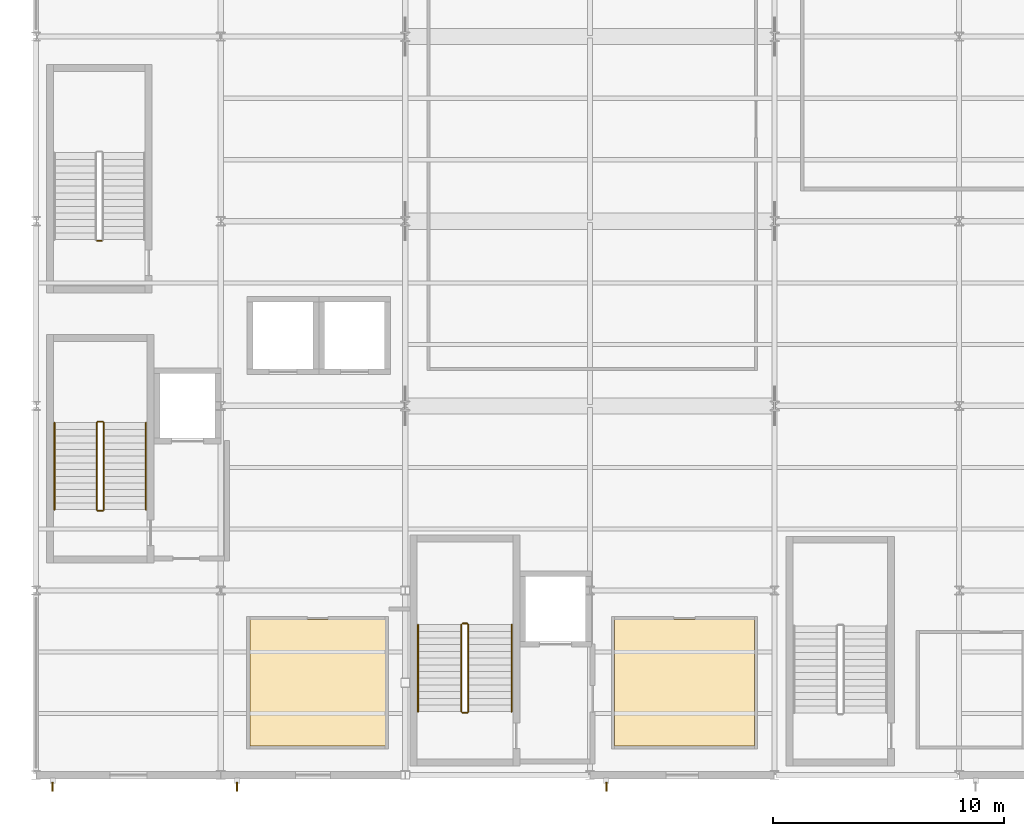
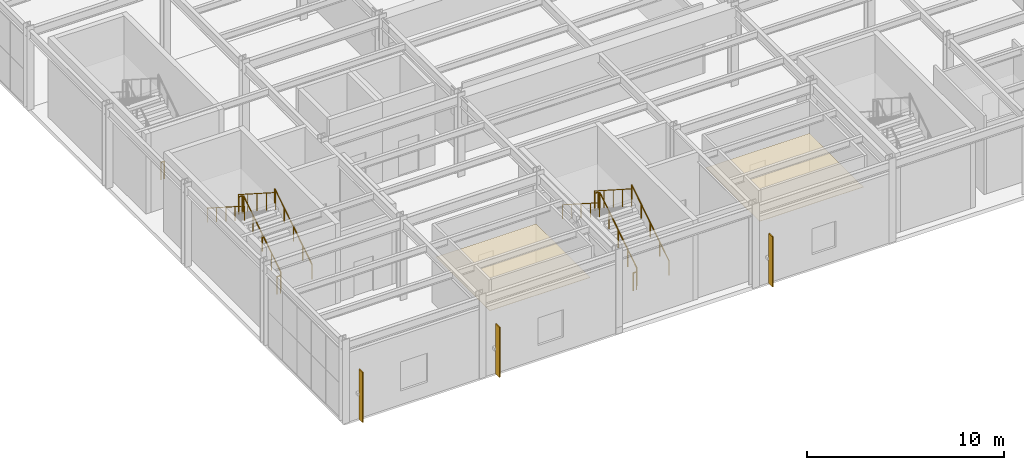
# One storey, part 67 of 77: 13 railings, 3 shading devices, 2 coverings.
"""IFC4 building model written with IfcOpenShell, lengths in metres."""

from ifc_helpers import new_model, si_unit, direction, frame, origin, origin_2d, place, context, subcontext, project, spatial, polyline, rectangle, circle, outline, extrude, material, layer, layer_set, type_object, element, save


model = new_model("IFC4")

# Units and contexts
model_context = context("Model", 3, precision=1e-05, world=origin(), true_north=direction((0.0, 1.0)))
body_context = subcontext(model_context, "Body", "Model", "MODEL_VIEW")
ifc_project = project(units=[si_unit("LENGTHUNIT", "METRE"), si_unit("AREAUNIT", "SQUARE_METRE"), si_unit("VOLUMEUNIT", "CUBIC_METRE"), si_unit("PLANEANGLEUNIT", "RADIAN"), si_unit("MASSUNIT", "GRAM", prefix="KILO")], contexts=[model_context])

# Site, building, storey
site_placement = place(None, origin())
site = spatial("IfcSite", under=ifc_project, at=site_placement, CompositionType="ELEMENT")
building_placement = place(site_placement, origin())
building = spatial("IfcBuilding", under=site, at=building_placement, Name="Drelvath Fold Interchange", CompositionType="ELEMENT")
storey_placement = place(building_placement, frame((0.0, 0.0, 6.0)))
storey = spatial("IfcBuildingStorey", under=building, at=storey_placement, Name="L01", CompositionType="ELEMENT", Elevation=6.0)

# Coverings
ifc_material_1 = material(Name="Perforated Aluminium Acoustic Ceiling", Category="aluminium")
ifc_layer = layer(ifc_material_1, 0.01806640625, Name="Perforated Aluminium Acoustic Ceiling")
ifc_layer_set = layer_set([ifc_layer], Name="Perforated Aluminium Acoustic Ceiling")
covering_type = type_object("IfcCoveringType", Name="CV-CEIL-AL18", PredefinedType="CEILING", material=ifc_layer_set)
covering_1_placement = place(storey_placement, frame((0.0, 0.0, 2.830078125)))
element("IfcCovering", 1, at=covering_1_placement, inside=storey, type_object=covering_type, Name="Gallery Public Toilet Men acoustic ceiling", PredefinedType="CEILING", context=body_context, shape_type="SweptSolid", body=[
    extrude(outline(polyline([(13.261962890625, 4.262939453125), (19.136962890625, 4.262939453125), (19.136962890625, 9.738037109375), (13.261962890625, 9.738037109375), (13.261962890625, 4.262939453125)])), origin(), (0.0, 0.0, 1.0), 0.02001953125),
])
covering_2_placement = place(storey_placement, frame((0.0, 0.0, 2.830078125)))
element("IfcCovering", 2, at=covering_2_placement, inside=storey, type_object=covering_type, Name="Gallery Public Toilet Women acoustic ceiling", PredefinedType="CEILING", context=body_context, shape_type="SweptSolid", body=[
    extrude(outline(polyline([(29.06201171875, 4.262939453125), (35.137939453125, 4.262939453125), (35.137939453125, 9.738037109375), (29.06201171875, 9.738037109375), (29.06201171875, 4.262939453125)])), origin(), (0.0, 0.0, 1.0), 0.02001953125),
])

# Railings
ifc_material_2 = material(Name="Stainless Steel 316L", Category="steel")
railing_type_1 = type_object("IfcRailingType", Name="RL-GRD1100", PredefinedType="GUARDRAIL", material=ifc_material_2)
railing_1_placement = place(storey_placement, frame((6.929931640625, 14.5, 0.185791015625)))
element("IfcRailing", 3, at=railing_1_placement, inside=storey, type_object=railing_type_1, Name="L01 ST-01 stair guard 1", PredefinedType="GUARDRAIL", context=body_context, shape_type="SweptSolid", body=[
    extrude(circle(Radius=0.02392578125, at=origin_2d()), frame((0.0, 0.0, 1.076171875), z_axis=(0.0, 0.84211983486, 0.539290444692), x_axis=(-1.0, 0.0, 0.0)), (0.0, 0.0, 1.0), 4.476806640625),
    extrude(circle(Radius=0.02099609375, at=origin_2d()), origin(), (0.0, 0.0, 1.0), 1.052001953125),
    extrude(circle(Radius=0.02099609375, at=origin_2d()), frame((0.0, 0.9423828125, 0.603515625)), (0.0, 0.0, 1.0), 1.052001953125),
    extrude(circle(Radius=0.02099609375, at=origin_2d()), frame((0.0, 1.885009765625, 1.20703125)), (0.0, 0.0, 1.0), 1.052001953125),
    extrude(circle(Radius=0.02099609375, at=origin_2d()), frame((0.0, 2.82763671875, 1.810791015625)), (0.0, 0.0, 1.0), 1.052001953125),
    extrude(circle(Radius=0.02099609375, at=origin_2d()), frame((0.0, 3.77001953125, 2.414306640625)), (0.0, 0.0, 1.0), 1.052001953125),
])
railing_2_placement = place(storey_placement, frame((6.8798828125, 18.320068359375, 2.60009765625)))
element("IfcRailing", 4, at=railing_2_placement, inside=storey, type_object=railing_type_1, Name="L01 ST-01 stair guard 2", PredefinedType="GUARDRAIL", context=body_context, shape_type="SweptSolid", body=[
    extrude(circle(Radius=0.02392578125, at=origin_2d()), frame((0.0, 0.0, 1.076171875), z_axis=(-1.0, 0.0, 0.0), x_axis=(0.0, -1.0, 0.0)), (0.0, 0.0, 1.0), 0.199951171875),
    extrude(circle(Radius=0.02099609375, at=origin_2d()), origin(), (0.0, 0.0, 1.0), 1.052001953125),
    extrude(circle(Radius=0.02099609375, at=origin_2d()), frame((-0.199951171875, 0.0, 0.0)), (0.0, 0.0, 1.0), 1.052001953125),
])
railing_3_placement = place(storey_placement, frame((6.6298828125, 18.27001953125, 2.78564453125)))
element("IfcRailing", 5, at=railing_3_placement, inside=storey, type_object=railing_type_1, Name="L01 ST-01 stair guard 3", PredefinedType="GUARDRAIL", context=body_context, shape_type="SweptSolid", body=[
    extrude(circle(Radius=0.02392578125, at=origin_2d()), frame((0.0, 0.0, 1.076171875), z_axis=(0.0, -0.84211983486, 0.539290444692), x_axis=(1.0, 0.0, 0.0)), (0.0, 0.0, 1.0), 4.476806640625),
    extrude(circle(Radius=0.02099609375, at=origin_2d()), origin(), (0.0, 0.0, 1.0), 1.052001953125),
    extrude(circle(Radius=0.02099609375, at=origin_2d()), frame((0.0, -0.9423828125, 0.603515625)), (0.0, 0.0, 1.0), 1.052001953125),
    extrude(circle(Radius=0.02099609375, at=origin_2d()), frame((0.0, -1.885009765625, 1.20703125)), (0.0, 0.0, 1.0), 1.052001953125),
    extrude(circle(Radius=0.02099609375, at=origin_2d()), frame((0.0, -2.82763671875, 1.810791015625)), (0.0, 0.0, 1.0), 1.052001953125),
    extrude(circle(Radius=0.02099609375, at=origin_2d()), frame((0.0, -3.77001953125, 2.414306640625)), (0.0, 0.0, 1.0), 1.052001953125),
])
railing_4_placement = place(storey_placement, frame((6.8798828125, 14.449951171875, 0.0)))
element("IfcRailing", 6, at=railing_4_placement, inside=storey, type_object=railing_type_1, Name="L01 ST-01 stair guard 4", PredefinedType="GUARDRAIL", context=body_context, shape_type="SweptSolid", body=[
    extrude(circle(Radius=0.02392578125, at=origin_2d()), frame((0.0, 0.0, 1.076171875), z_axis=(-1.0, 0.0, 0.0), x_axis=(0.0, -1.0, 0.0)), (0.0, 0.0, 1.0), 0.199951171875),
    extrude(circle(Radius=0.02099609375, at=origin_2d()), origin(), (0.0, 0.0, 1.0), 1.052001953125),
    extrude(circle(Radius=0.02099609375, at=origin_2d()), frame((-0.199951171875, 0.0, 0.0)), (0.0, 0.0, 1.0), 1.052001953125),
])
railing_5_placement = place(storey_placement, frame((6.840087890625, 26.14990234375, 0.0)))
element("IfcRailing", 7, at=railing_5_placement, inside=storey, type_object=railing_type_1, Name="L01 ST-02 stair guard 4", PredefinedType="GUARDRAIL", context=body_context, shape_type="SweptSolid", body=[
    extrude(circle(Radius=0.02392578125, at=origin_2d()), frame((0.0, 0.0, 1.076171875), z_axis=(-1.0, 0.0, 0.0), x_axis=(0.0, -1.0, 0.0)), (0.0, 0.0, 1.0), 0.2001953125),
    extrude(circle(Radius=0.02099609375, at=origin_2d()), origin(), (0.0, 0.0, 1.0), 1.052001953125),
    extrude(circle(Radius=0.02099609375, at=origin_2d()), frame((-0.2001953125, 0.0, 0.0)), (0.0, 0.0, 1.0), 1.052001953125),
])
railing_6_placement = place(storey_placement, frame((22.72998046875, 5.75, 0.185791015625)))
element("IfcRailing", 8, at=railing_6_placement, inside=storey, type_object=railing_type_1, Name="L01 ST-03 stair guard 1", PredefinedType="GUARDRAIL", context=body_context, shape_type="SweptSolid", body=[
    extrude(circle(Radius=0.02392578125, at=origin_2d()), frame((0.0, 0.0, 1.076171875), z_axis=(0.0, 0.84211983486, 0.539290444692), x_axis=(-1.0, 0.0, 0.0)), (0.0, 0.0, 1.0), 4.476806640625),
    extrude(circle(Radius=0.02099609375, at=origin_2d()), origin(), (0.0, 0.0, 1.0), 1.052001953125),
    extrude(circle(Radius=0.02099609375, at=origin_2d()), frame((0.0, 0.9423828125, 0.603515625)), (0.0, 0.0, 1.0), 1.052001953125),
    extrude(circle(Radius=0.02099609375, at=origin_2d()), frame((0.0, 1.885009765625, 1.20703125)), (0.0, 0.0, 1.0), 1.052001953125),
    extrude(circle(Radius=0.02099609375, at=origin_2d()), frame((0.0, 2.82763671875, 1.810791015625)), (0.0, 0.0, 1.0), 1.052001953125),
    extrude(circle(Radius=0.02099609375, at=origin_2d()), frame((0.0, 3.77001953125, 2.414306640625)), (0.0, 0.0, 1.0), 1.052001953125),
])
railing_7_placement = place(storey_placement, frame((22.679931640625, 9.570068359375, 2.60009765625)))
element("IfcRailing", 9, at=railing_7_placement, inside=storey, type_object=railing_type_1, Name="L01 ST-03 stair guard 2", PredefinedType="GUARDRAIL", context=body_context, shape_type="SweptSolid", body=[
    extrude(circle(Radius=0.02392578125, at=origin_2d()), frame((0.0, 0.0, 1.076171875), z_axis=(-1.0, 0.0, 0.0), x_axis=(0.0, -1.0, 0.0)), (0.0, 0.0, 1.0), 0.199951171875),
    extrude(circle(Radius=0.02099609375, at=origin_2d()), origin(), (0.0, 0.0, 1.0), 1.052001953125),
    extrude(circle(Radius=0.02099609375, at=origin_2d()), frame((-0.199951171875, 0.0, 0.0)), (0.0, 0.0, 1.0), 1.052001953125),
])
railing_8_placement = place(storey_placement, frame((22.429931640625, 9.52001953125, 2.78564453125)))
element("IfcRailing", 10, at=railing_8_placement, inside=storey, type_object=railing_type_1, Name="L01 ST-03 stair guard 3", PredefinedType="GUARDRAIL", context=body_context, shape_type="SweptSolid", body=[
    extrude(circle(Radius=0.02392578125, at=origin_2d()), frame((0.0, 0.0, 1.076171875), z_axis=(0.0, -0.84211983486, 0.539290444692), x_axis=(1.0, 0.0, 0.0)), (0.0, 0.0, 1.0), 4.476806640625),
    extrude(circle(Radius=0.02099609375, at=origin_2d()), origin(), (0.0, 0.0, 1.0), 1.052001953125),
    extrude(circle(Radius=0.02099609375, at=origin_2d()), frame((0.0, -0.9423828125, 0.603515625)), (0.0, 0.0, 1.0), 1.052001953125),
    extrude(circle(Radius=0.02099609375, at=origin_2d()), frame((0.0, -1.885009765625, 1.20703125)), (0.0, 0.0, 1.0), 1.052001953125),
    extrude(circle(Radius=0.02099609375, at=origin_2d()), frame((0.0, -2.82763671875, 1.810791015625)), (0.0, 0.0, 1.0), 1.052001953125),
    extrude(circle(Radius=0.02099609375, at=origin_2d()), frame((0.0, -3.77001953125, 2.414306640625)), (0.0, 0.0, 1.0), 1.052001953125),
])
railing_9_placement = place(storey_placement, frame((22.679931640625, 5.699951171875, 0.0)))
element("IfcRailing", 11, at=railing_9_placement, inside=storey, type_object=railing_type_1, Name="L01 ST-03 stair guard 4", PredefinedType="GUARDRAIL", context=body_context, shape_type="SweptSolid", body=[
    extrude(circle(Radius=0.02392578125, at=origin_2d()), frame((0.0, 0.0, 1.076171875), z_axis=(-1.0, 0.0, 0.0), x_axis=(0.0, -1.0, 0.0)), (0.0, 0.0, 1.0), 0.199951171875),
    extrude(circle(Radius=0.02099609375, at=origin_2d()), origin(), (0.0, 0.0, 1.0), 1.052001953125),
    extrude(circle(Radius=0.02099609375, at=origin_2d()), frame((-0.199951171875, 0.0, 0.0)), (0.0, 0.0, 1.0), 1.052001953125),
])
railing_type_2 = type_object("IfcRailingType", Name="RL-HND920", PredefinedType="HANDRAIL", material=ifc_material_2)
railing_10_placement = place(storey_placement, frame((8.760009765625, 14.5, 0.185791015625)))
element("IfcRailing", 12, at=railing_10_placement, inside=storey, type_object=railing_type_2, Name="L01 ST-01 stair handrail 1", PredefinedType="HANDRAIL", context=body_context, shape_type="SweptSolid", body=[
    extrude(circle(Radius=0.02392578125, at=origin_2d()), frame((0.0, 0.0, 0.8759765625), z_axis=(0.0, 0.84211983486, 0.539290444692), x_axis=(-1.0, 0.0, 0.0)), (0.0, 0.0, 1.0), 4.476806640625),
    extrude(circle(Radius=0.02099609375, at=origin_2d()), origin(), (0.0, 0.0, 1.0), 0.851806640625),
    extrude(circle(Radius=0.02099609375, at=origin_2d()), frame((0.0, 0.9423828125, 0.603515625)), (0.0, 0.0, 1.0), 0.851806640625),
    extrude(circle(Radius=0.02099609375, at=origin_2d()), frame((0.0, 1.885009765625, 1.20703125)), (0.0, 0.0, 1.0), 0.851806640625),
    extrude(circle(Radius=0.02099609375, at=origin_2d()), frame((0.0, 2.82763671875, 1.810791015625)), (0.0, 0.0, 1.0), 0.851806640625),
    extrude(circle(Radius=0.02099609375, at=origin_2d()), frame((0.0, 3.77001953125, 2.414306640625)), (0.0, 0.0, 1.0), 0.851806640625),
])
railing_11_placement = place(storey_placement, frame((4.800048828125, 18.27001953125, 2.78564453125)))
element("IfcRailing", 13, at=railing_11_placement, inside=storey, type_object=railing_type_2, Name="L01 ST-01 stair handrail 2", PredefinedType="HANDRAIL", context=body_context, shape_type="SweptSolid", body=[
    extrude(circle(Radius=0.02392578125, at=origin_2d()), frame((0.0, 0.0, 0.8759765625), z_axis=(0.0, -0.84211983486, 0.539290444692), x_axis=(1.0, 0.0, 0.0)), (0.0, 0.0, 1.0), 4.476806640625),
    extrude(circle(Radius=0.02099609375, at=origin_2d()), origin(), (0.0, 0.0, 1.0), 0.851806640625),
    extrude(circle(Radius=0.02099609375, at=origin_2d()), frame((0.0, -0.9423828125, 0.603515625)), (0.0, 0.0, 1.0), 0.851806640625),
    extrude(circle(Radius=0.02099609375, at=origin_2d()), frame((0.0, -1.885009765625, 1.20703125)), (0.0, 0.0, 1.0), 0.851806640625),
    extrude(circle(Radius=0.02099609375, at=origin_2d()), frame((0.0, -2.82763671875, 1.810791015625)), (0.0, 0.0, 1.0), 0.851806640625),
    extrude(circle(Radius=0.02099609375, at=origin_2d()), frame((0.0, -3.77001953125, 2.414306640625)), (0.0, 0.0, 1.0), 0.851806640625),
])
railing_12_placement = place(storey_placement, frame((24.610107421875, 5.75, 0.185791015625)))
element("IfcRailing", 14, at=railing_12_placement, inside=storey, type_object=railing_type_2, Name="L01 ST-03 stair handrail 1", PredefinedType="HANDRAIL", context=body_context, shape_type="SweptSolid", body=[
    extrude(circle(Radius=0.02392578125, at=origin_2d()), frame((0.0, 0.0, 0.8759765625), z_axis=(0.0, 0.84211983486, 0.539290444692), x_axis=(-1.0, 0.0, 0.0)), (0.0, 0.0, 1.0), 4.476806640625),
    extrude(circle(Radius=0.02099609375, at=origin_2d()), origin(), (0.0, 0.0, 1.0), 0.851806640625),
    extrude(circle(Radius=0.02099609375, at=origin_2d()), frame((0.0, 0.9423828125, 0.603515625)), (0.0, 0.0, 1.0), 0.851806640625),
    extrude(circle(Radius=0.02099609375, at=origin_2d()), frame((0.0, 1.885009765625, 1.20703125)), (0.0, 0.0, 1.0), 0.851806640625),
    extrude(circle(Radius=0.02099609375, at=origin_2d()), frame((0.0, 2.82763671875, 1.810791015625)), (0.0, 0.0, 1.0), 0.851806640625),
    extrude(circle(Radius=0.02099609375, at=origin_2d()), frame((0.0, 3.77001953125, 2.414306640625)), (0.0, 0.0, 1.0), 0.851806640625),
])
railing_13_placement = place(storey_placement, frame((20.550048828125, 9.52001953125, 2.78564453125)))
element("IfcRailing", 15, at=railing_13_placement, inside=storey, type_object=railing_type_2, Name="L01 ST-03 stair handrail 2", PredefinedType="HANDRAIL", context=body_context, shape_type="SweptSolid", body=[
    extrude(circle(Radius=0.02392578125, at=origin_2d()), frame((0.0, 0.0, 0.8759765625), z_axis=(0.0, -0.84211983486, 0.539290444692), x_axis=(1.0, 0.0, 0.0)), (0.0, 0.0, 1.0), 4.476806640625),
    extrude(circle(Radius=0.02099609375, at=origin_2d()), origin(), (0.0, 0.0, 1.0), 0.851806640625),
    extrude(circle(Radius=0.02099609375, at=origin_2d()), frame((0.0, -0.9423828125, 0.603515625)), (0.0, 0.0, 1.0), 0.851806640625),
    extrude(circle(Radius=0.02099609375, at=origin_2d()), frame((0.0, -1.885009765625, 1.20703125)), (0.0, 0.0, 1.0), 0.851806640625),
    extrude(circle(Radius=0.02099609375, at=origin_2d()), frame((0.0, -2.82763671875, 1.810791015625)), (0.0, 0.0, 1.0), 0.851806640625),
    extrude(circle(Radius=0.02099609375, at=origin_2d()), frame((0.0, -3.77001953125, 2.414306640625)), (0.0, 0.0, 1.0), 0.851806640625),
])

# Shading devices
ifc_material_3 = material(Name="Anodized Aluminium 6063-T6", Category="aluminium")
shading_device_type = type_object("IfcShadingDeviceType", Name="SD-FIN380", PredefinedType="JALOUSIE", material=ifc_material_3)
for number, where, z_axis, x_axis, name in (
    (16, (4.712890625, 2.492919921875, 0.099853515625), (0.0, 0.0, 1.0), (0.0, 1.0, 0.0), "Vertical aluminium solar fin 21"),
    (17, (12.712890625, 2.492919921875, 0.099853515625), (0.0, 0.0, 1.0), (0.0, 1.0, 0.0), "Vertical aluminium solar fin 22"),
    (18, (28.712890625, 2.492919921875, 0.099853515625), (0.0, 0.0, 1.0), (0.0, 1.0, 0.0), "Vertical aluminium solar fin 23"),
):
    element("IfcShadingDevice", number, at=place(storey_placement, frame(where, z_axis=z_axis, x_axis=x_axis)), inside=storey, type_object=shading_device_type, Name=name, PredefinedType="JALOUSIE", context=body_context, shape_type="SweptSolid", body=[
        extrude(rectangle(XDim=0.3798828125, YDim=0.06494140625, at=origin_2d()), origin(), (0.0, 0.0, 1.0), 3.10009765625),
    ])

save(model, "model.ifc")
